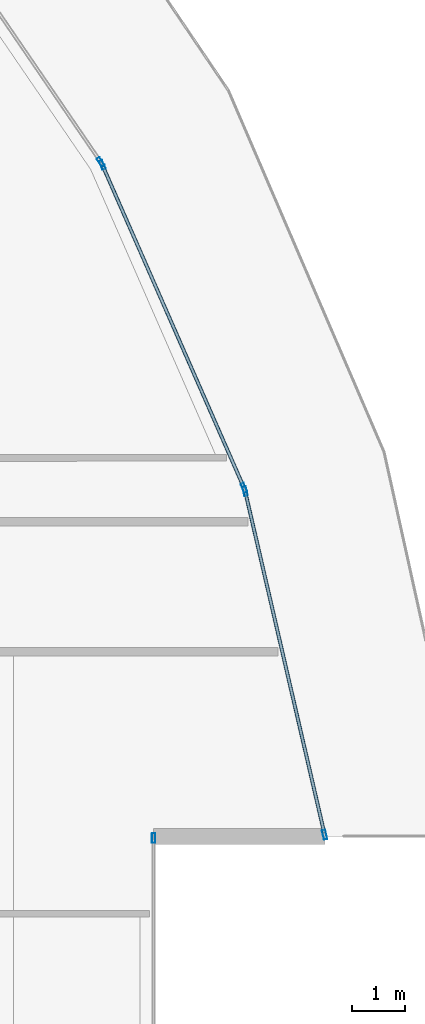
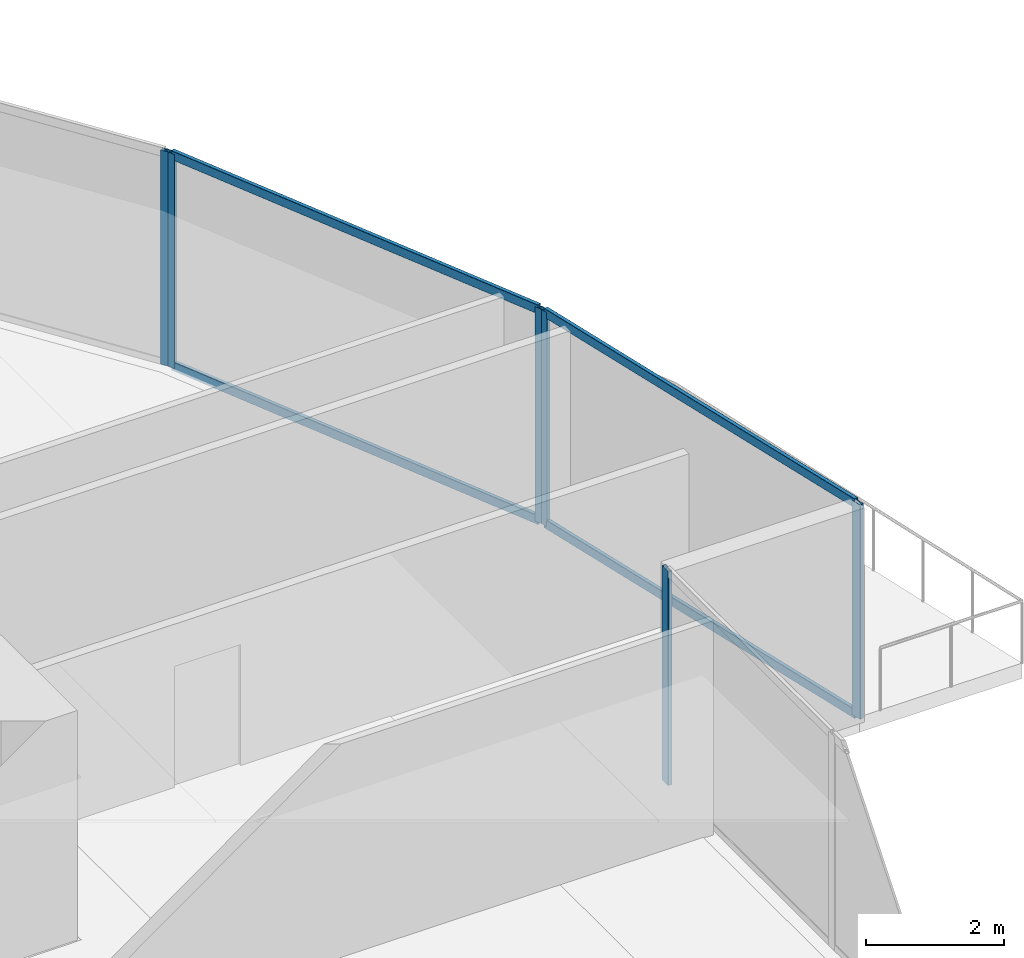
# One storey, part 19 of 38: 10 members, 4 elements without a shape of their own.
"""IFC4 building model written with IfcOpenShell, lengths in metres."""

from ifc_helpers import new_model, si_unit, direction, frame, origin, origin_2d, place, context, subcontext, project, spatial, hollow_rectangle, extrude, material, layer, layer_set, material_profile, profile_set, type_object, element, aggregate, save


model = new_model("IFC4")

# Units and contexts
model_context = context("Model", 3, precision=1e-05, world=origin(), true_north=direction((0.0, 1.0)))
body_context = subcontext(model_context, "Body", "Model", "MODEL_VIEW")
ifc_project = project(units=[si_unit("LENGTHUNIT", "METRE"), si_unit("AREAUNIT", "SQUARE_METRE"), si_unit("VOLUMEUNIT", "CUBIC_METRE"), si_unit("PLANEANGLEUNIT", "RADIAN"), si_unit("MASSUNIT", "GRAM", prefix="KILO")], contexts=[model_context])

# Site, building, storey
site_placement = place(None, origin())
site = spatial("IfcSite", under=ifc_project, at=site_placement, CompositionType="ELEMENT")
building_placement = place(site_placement, origin())
building = spatial("IfcBuilding", under=site, at=building_placement, Name="Qorvath Tower", CompositionType="ELEMENT")
storey_placement = place(building_placement, frame((0.0, 0.0, 146.25)))
storey = spatial("IfcBuildingStorey", under=building, at=storey_placement, Name="L33", CompositionType="ELEMENT", Elevation=146.25)

# Curtain wall, member
ifc_material_1 = material(Name="Anodised aluminium and triple low-E glass", Category="aluminium")
ifc_layer = layer(ifc_material_1, 0.179931640625)
ifc_layer_set = layer_set([ifc_layer], Name="CW-SYS-3")
curtain_wall_type = type_object("IfcCurtainWallType", Name="CW-SYS-3", PredefinedType="NOTDEFINED", material=ifc_layer_set)
curtain_wall_1_placement = place(storey_placement, origin())
curtain_wall_1 = element("IfcCurtainWall", 1, at=curtain_wall_1_placement, inside=storey, type_object=curtain_wall_type, Name="Curtain Wall CW-3 CW-T-L33-9.1", PredefinedType="NOTDEFINED")
ifc_material_2 = material(Name="Anodised aluminium 6063-T6", Category="aluminium")
ifc_material_profile_1 = material_profile(ifc_material_2, hollow_rectangle(XDim=0.06494140625, YDim=0.179931640625, WallThickness=0.00341796875, InnerFilletRadius=0.00341796875, OuterFilletRadius=0.007080078125, at=origin_2d()), Name="CWM 180x65")
ifc_profile_set_1 = profile_set([ifc_material_profile_1], Name="Anodised aluminium 6063-T6")
member_type_1 = type_object("IfcMemberType", Name="CWM-180", PredefinedType="MULLION", material=ifc_profile_set_1)
member_1_placement = place(storey_placement, frame((0.6015625, 4.805908203125, 0.0), z_axis=(0.0, 0.0, 1.0), x_axis=(-1.0, 0.0, 0.0)))
member_1 = element("IfcMember", 2, at=member_1_placement, type_object=member_type_1, Name="CW-3 mullion 3", PredefinedType="MULLION", context=body_context, shape_type="SweptSolid", body=[
    extrude(hollow_rectangle(XDim=0.06494140625, YDim=0.179931640625, WallThickness=0.00341796875, InnerFilletRadius=0.00341796875, OuterFilletRadius=0.007080078125, at=origin_2d()), origin(), (0.0, 0.0, 1.0), 3.780029296875),
])
aggregate(curtain_wall_1, [member_1])

# Curtain wall, members
curtain_wall_2_placement = place(storey_placement, origin())
curtain_wall_2 = element("IfcCurtainWall", 3, at=curtain_wall_2_placement, inside=storey, type_object=curtain_wall_type, Name="Curtain Wall CW-3 CW-T-L33-11.1", PredefinedType="NOTDEFINED")
member_2_placement = place(storey_placement, frame((3.81982421875, 4.8701171875, 0.0), z_axis=(0.0, 0.0, 1.0), x_axis=(-0.974237086813, -0.225526270485, 0.0)))
member_2 = element("IfcMember", 4, at=member_2_placement, type_object=member_type_1, Name="CW-3 mullion 1", PredefinedType="MULLION", context=body_context, shape_type="SweptSolid", body=[
    extrude(hollow_rectangle(XDim=0.06494140625, YDim=0.179931640625, WallThickness=0.00341796875, InnerFilletRadius=0.00341796875, OuterFilletRadius=0.007080078125, at=origin_2d()), origin(), (0.0, 0.0, 1.0), 3.780029296875),
])
member_3_placement = place(storey_placement, frame((2.32275390625, 11.337158203125, 0.0), z_axis=(0.0, 0.0, 1.0), x_axis=(-0.974237086813, -0.225526270485, 0.0)))
member_3 = element("IfcMember", 5, at=member_3_placement, type_object=member_type_1, Name="CW-3 mullion 2", PredefinedType="MULLION", context=body_context, shape_type="SweptSolid", body=[
    extrude(hollow_rectangle(XDim=0.06494140625, YDim=0.179931640625, WallThickness=0.00341796875, InnerFilletRadius=0.00341796875, OuterFilletRadius=0.007080078125, at=origin_2d()), origin(), (0.0, 0.0, 1.0), 3.780029296875),
])

curtain_wall_3_placement = place(storey_placement, origin())
curtain_wall_3 = element("IfcCurtainWall", 6, at=curtain_wall_3_placement, inside=storey, type_object=curtain_wall_type, Name="Curtain Wall CW-3 CW-T-L33-12.1", PredefinedType="NOTDEFINED")
member_4_placement = place(storey_placement, frame((2.30224609375, 11.3984375, 0.0), z_axis=(0.0, 0.0, 1.0), x_axis=(-0.915703754985, -0.401853994762, 0.0)))
member_4 = element("IfcMember", 7, at=member_4_placement, type_object=member_type_1, Name="CW-3 mullion 1", PredefinedType="MULLION", context=body_context, shape_type="SweptSolid", body=[
    extrude(hollow_rectangle(XDim=0.06494140625, YDim=0.179931640625, WallThickness=0.00341796875, InnerFilletRadius=0.00341796875, OuterFilletRadius=0.007080078125, at=origin_2d()), origin(), (0.0, 0.0, 1.0), 3.780029296875),
])
member_5_placement = place(storey_placement, frame((-0.365234375, 17.476806640625, 0.0), z_axis=(0.0, 0.0, 1.0), x_axis=(-0.915703754985, -0.401853994762, 0.0)))
member_5 = element("IfcMember", 8, at=member_5_placement, type_object=member_type_1, Name="CW-3 mullion 2", PredefinedType="MULLION", context=body_context, shape_type="SweptSolid", body=[
    extrude(hollow_rectangle(XDim=0.06494140625, YDim=0.179931640625, WallThickness=0.00341796875, InnerFilletRadius=0.00341796875, OuterFilletRadius=0.007080078125, at=origin_2d()), origin(), (0.0, 0.0, 1.0), 3.780029296875),
])

# Curtain wall, member
curtain_wall_4_placement = place(storey_placement, origin())
curtain_wall_4 = element("IfcCurtainWall", 9, at=curtain_wall_4_placement, inside=storey, type_object=curtain_wall_type, Name="Curtain Wall CW-3 CW-T-L33-13.1", PredefinedType="NOTDEFINED")
member_6_placement = place(storey_placement, frame((-0.396484375, 17.533447265625, 0.0), z_axis=(0.0, 0.0, 1.0), x_axis=(-0.825610125251, -0.564241013294, 0.0)))
member_6 = element("IfcMember", 10, at=member_6_placement, type_object=member_type_1, Name="CW-3 mullion 1", PredefinedType="MULLION", context=body_context, shape_type="SweptSolid", body=[
    extrude(hollow_rectangle(XDim=0.06494140625, YDim=0.179931640625, WallThickness=0.00341796875, InnerFilletRadius=0.00341796875, OuterFilletRadius=0.007080078125, at=origin_2d()), origin(), (0.0, 0.0, 1.0), 3.780029296875),
])
aggregate(curtain_wall_4, [member_6])

# Member
ifc_material_3 = material(Name="Anodised aluminium 6063-T6", Category="aluminium")
ifc_material_profile_2 = material_profile(ifc_material_3, hollow_rectangle(XDim=0.06494140625, YDim=0.159912109375, WallThickness=0.00341796875, InnerFilletRadius=0.00341796875, OuterFilletRadius=0.007080078125, at=origin_2d()), Name="CWT 160x65")
ifc_profile_set_2 = profile_set([ifc_material_profile_2], Name="Anodised aluminium 6063-T6")
member_type_2 = type_object("IfcMemberType", Name="CWT-160", PredefinedType="USERDEFINED", material=ifc_profile_set_2)
member_7_placement = place(storey_placement, frame((3.8125, 4.901611328125, 0.032470703125), z_axis=(-0.225526759575, 0.974236973593, 0.0), x_axis=(-0.974236973593, -0.225526759575, 0.0)))
member_7 = element("IfcMember", 11, at=member_7_placement, type_object=member_type_2, Name="CW-3 transom 1.1", ObjectType="TRANSOM", PredefinedType="USERDEFINED", context=body_context, shape_type="SweptSolid", body=[
    extrude(hollow_rectangle(XDim=0.06494140625, YDim=0.159912109375, WallThickness=0.00341796875, InnerFilletRadius=0.00341796875, OuterFilletRadius=0.007080078125, at=origin_2d()), origin(), (0.0, 0.0, 1.0), 6.5732421875),
])

member_8_placement = place(storey_placement, frame((3.8125, 4.901611328125, 3.74755859375), z_axis=(-0.225526759575, 0.974236973593, 0.0), x_axis=(-0.974236973593, -0.225526759575, 0.0)))
member_8 = element("IfcMember", 12, at=member_8_placement, type_object=member_type_2, Name="CW-3 transom 1.2", ObjectType="TRANSOM", PredefinedType="USERDEFINED", context=body_context, shape_type="SweptSolid", body=[
    extrude(hollow_rectangle(XDim=0.06494140625, YDim=0.159912109375, WallThickness=0.00341796875, InnerFilletRadius=0.00341796875, OuterFilletRadius=0.007080078125, at=origin_2d()), origin(), (0.0, 0.0, 1.0), 6.5732421875),
])

aggregate(curtain_wall_2, [member_2, member_3, member_7, member_8])

member_9_placement = place(storey_placement, frame((2.289306640625, 11.42822265625, 0.032470703125), z_axis=(-0.401857137261, 0.915702375902, 0.0), x_axis=(-0.915702375902, -0.401857137261, 0.0)))
member_9 = element("IfcMember", 13, at=member_9_placement, type_object=member_type_2, Name="CW-3 transom 1.1", ObjectType="TRANSOM", PredefinedType="USERDEFINED", context=body_context, shape_type="SweptSolid", body=[
    extrude(hollow_rectangle(XDim=0.06494140625, YDim=0.159912109375, WallThickness=0.00341796875, InnerFilletRadius=0.00341796875, OuterFilletRadius=0.007080078125, at=origin_2d()), origin(), (0.0, 0.0, 1.0), 6.572998046875),
])

member_10_placement = place(storey_placement, frame((2.289306640625, 11.42822265625, 3.74755859375), z_axis=(-0.401857137261, 0.915702375902, 0.0), x_axis=(-0.915702375902, -0.401857137261, 0.0)))
member_10 = element("IfcMember", 14, at=member_10_placement, type_object=member_type_2, Name="CW-3 transom 1.2", ObjectType="TRANSOM", PredefinedType="USERDEFINED", context=body_context, shape_type="SweptSolid", body=[
    extrude(hollow_rectangle(XDim=0.06494140625, YDim=0.159912109375, WallThickness=0.00341796875, InnerFilletRadius=0.00341796875, OuterFilletRadius=0.007080078125, at=origin_2d()), origin(), (0.0, 0.0, 1.0), 6.572998046875),
])

aggregate(curtain_wall_3, [member_4, member_5, member_9, member_10])

save(model, "model.ifc")
